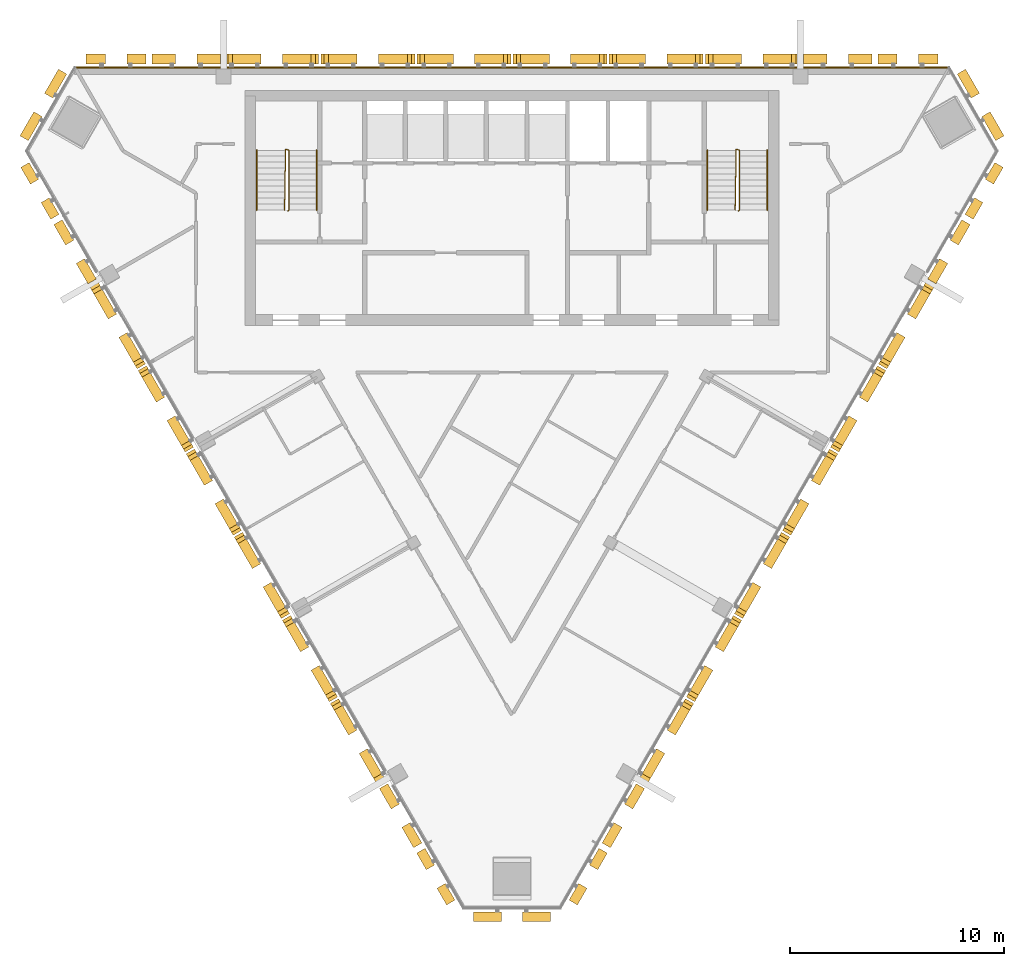
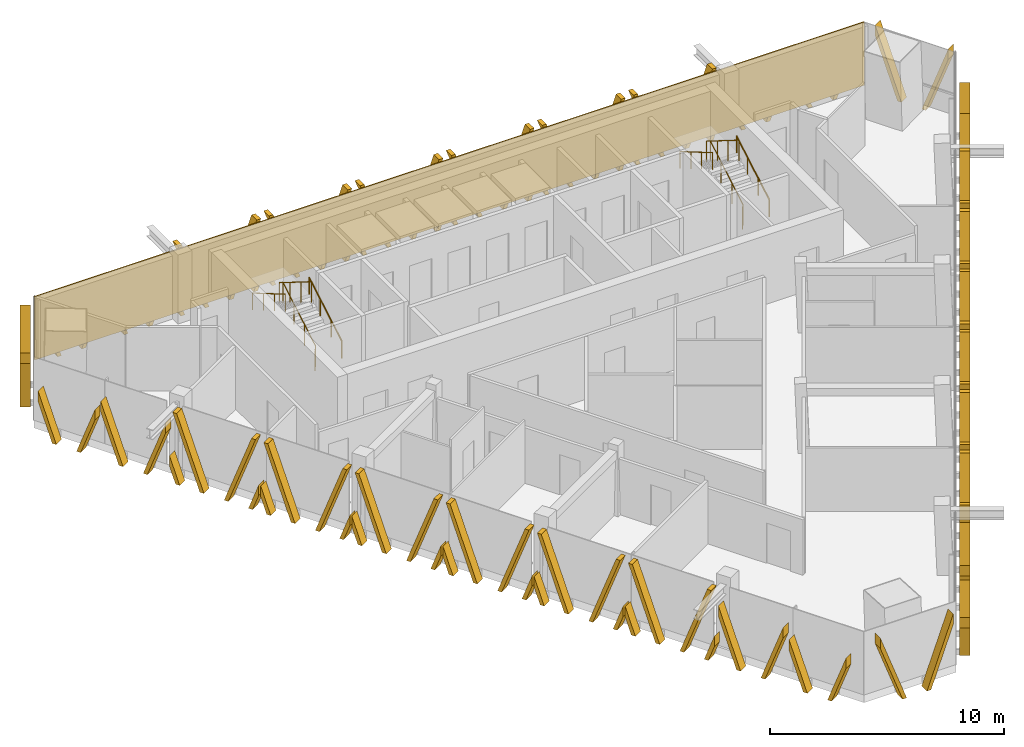
# One storey, part 11 of 12: 33 shading devices, 6 railings, 1 covering.
"""IFC4 building model written with IfcOpenShell, lengths in metres."""

from ifc_helpers import new_model, si_unit, direction, frame, frame_2d, origin, origin_2d, place, context, subcontext, project, spatial, polyline, rectangle, circle, outline, extrude, source, transform, mapped, material, layer, layer_set, type_object, element, save


model = new_model("IFC4")

# Units and contexts
model_context = context("Model", 3, precision=1e-05, world=origin(), true_north=direction((0.0, 1.0)))
body_context = subcontext(model_context, "Body", "Model", "MODEL_VIEW")
ifc_project = project(units=[si_unit("LENGTHUNIT", "METRE"), si_unit("AREAUNIT", "SQUARE_METRE"), si_unit("VOLUMEUNIT", "CUBIC_METRE"), si_unit("PLANEANGLEUNIT", "RADIAN"), si_unit("MASSUNIT", "GRAM", prefix="KILO")], contexts=[model_context])

# Site, building, storey
site_placement = place(None, origin())
site = spatial("IfcSite", under=ifc_project, at=site_placement, CompositionType="ELEMENT")
building_placement = place(site_placement, origin())
building = spatial("IfcBuilding", under=site, at=building_placement, Name="Altiplano Prism Tower", CompositionType="ELEMENT")
storey_placement = place(building_placement, frame((0.0, 0.0, 282.39990234375)))
storey = spatial("IfcBuildingStorey", under=building, at=storey_placement, Name="L73", CompositionType="ELEMENT", Elevation=282.39990234375)

# Railings
ifc_material_1 = material(Name="Steel S355", Category="steel")
railing_type_1 = type_object("IfcRailingType", Name="Stair guard 1100", PredefinedType="GUARDRAIL", material=ifc_material_1)
railing_1_placement = place(storey_placement, frame((74.5, 98.25, 0.0)))
element("IfcRailing", 1, at=railing_1_placement, inside=storey, type_object=railing_type_1, Name="L73 ST1 stair guard 1", PredefinedType="GUARDRAIL", context=body_context, shape_type="SweptSolid", body=[
    extrude(circle(Radius=0.02392578125, at=origin_2d()), frame((0.0, 0.0, 1.076171875), z_axis=(0.280456126637, 0.280456126637, 0.917980785237), x_axis=(-0.707106781187, 0.707106781187, 0.0)), (0.0, 0.0, 1.0), 0.178466796875),
    extrude(circle(Radius=0.02392578125, at=origin_2d()), frame((0.050048828125, 0.050048828125, 1.23974609375), z_axis=(0.0, 0.863393664356, 0.504530851732), x_axis=(-1.0, 0.0, 0.0)), (0.0, 0.0, 1.0), 3.2431640625),
    extrude(circle(Radius=0.02392578125, at=origin_2d()), frame((0.050048828125, 2.85009765625, 2.8759765625), z_axis=(-0.949145278916, 0.314838433982, 0.0), x_axis=(-0.314838433982, -0.949145278916, 0.0)), (0.0, 0.0, 1.0), 0.158203125),
    extrude(circle(Radius=0.02392578125, at=origin_2d()), frame((-0.10009765625, 2.89990234375, 2.8759765625), z_axis=(-0.01477401265, -0.845377694409, 0.533964682676), x_axis=(0.999847325713, -0.01747355902, 0.0)), (0.0, 0.0, 1.0), 3.37109375),
    extrude(circle(Radius=0.02099609375, at=origin_2d()), origin(), (0.0, 0.0, 1.0), 1.052001953125),
    extrude(circle(Radius=0.02099609375, at=origin_2d()), frame((0.050048828125, 0.050048828125, 0.163818359375)), (0.0, 0.0, 1.0), 1.052001953125),
    extrude(circle(Radius=0.02099609375, at=origin_2d()), frame((0.050048828125, 0.9833984375, 0.709228515625)), (0.0, 0.0, 1.0), 1.052001953125),
    extrude(circle(Radius=0.02099609375, at=origin_2d()), frame((0.050048828125, 1.916748046875, 1.254638671875)), (0.0, 0.0, 1.0), 1.052001953125),
    extrude(circle(Radius=0.02099609375, at=origin_2d()), frame((0.050048828125, 2.85009765625, 1.800048828125)), (0.0, 0.0, 1.0), 1.052001953125),
    extrude(circle(Radius=0.02099609375, at=origin_2d()), frame((-0.10009765625, 2.89990234375, 1.800048828125)), (0.0, 0.0, 1.0), 1.052001953125),
    extrude(circle(Radius=0.02099609375, at=origin_2d()), frame((-0.11669921875, 1.949951171875, 2.400146484375)), (0.0, 0.0, 1.0), 1.052001953125),
    extrude(circle(Radius=0.02099609375, at=origin_2d()), frame((-0.13330078125, 1.0, 3.0)), (0.0, 0.0, 1.0), 1.052001953125),
    extrude(circle(Radius=0.02099609375, at=origin_2d()), frame((-0.14990234375, 0.050048828125, 3.60009765625)), (0.0, 0.0, 1.0), 1.052001953125),
])
railing_2_placement = place(storey_placement, frame((95.60009765625, 98.25, 0.0)))
element("IfcRailing", 2, at=railing_2_placement, inside=storey, type_object=railing_type_1, Name="L73 ST2 stair guard 1", PredefinedType="GUARDRAIL", context=body_context, shape_type="SweptSolid", body=[
    extrude(circle(Radius=0.02392578125, at=origin_2d()), frame((0.0, 0.0, 1.076171875), z_axis=(0.279194930351, 0.280563532951, 0.91833234444), x_axis=(-0.708833529934, 0.705375805398, 0.0)), (0.0, 0.0, 1.0), 0.178466796875),
    extrude(circle(Radius=0.02392578125, at=origin_2d()), frame((0.0498046875, 0.050048828125, 1.23974609375), z_axis=(0.0, 0.863393664356, 0.504530851732), x_axis=(-1.0, 0.0, 0.0)), (0.0, 0.0, 1.0), 3.2431640625),
    extrude(circle(Radius=0.02392578125, at=origin_2d()), frame((0.0498046875, 2.85009765625, 2.8759765625), z_axis=(-0.948991962702, 0.315300261223, 0.0), x_axis=(-0.315300261223, -0.948991962702, 0.0)), (0.0, 0.0, 1.0), 0.157958984375),
    extrude(circle(Radius=0.02392578125, at=origin_2d()), frame((-0.10009765625, 2.89990234375, 2.8759765625), z_axis=(-0.014846418356, -0.845376787675, 0.533964109957), x_axis=(0.999845825584, -0.017559187376, 0.0)), (0.0, 0.0, 1.0), 3.37109375),
    extrude(circle(Radius=0.02099609375, at=origin_2d()), origin(), (0.0, 0.0, 1.0), 1.052001953125),
    extrude(circle(Radius=0.02099609375, at=origin_2d()), frame((0.0498046875, 0.050048828125, 0.163818359375)), (0.0, 0.0, 1.0), 1.052001953125),
    extrude(circle(Radius=0.02099609375, at=origin_2d()), frame((0.0498046875, 0.9833984375, 0.709228515625)), (0.0, 0.0, 1.0), 1.052001953125),
    extrude(circle(Radius=0.02099609375, at=origin_2d()), frame((0.0498046875, 1.916748046875, 1.254638671875)), (0.0, 0.0, 1.0), 1.052001953125),
    extrude(circle(Radius=0.02099609375, at=origin_2d()), frame((0.0498046875, 2.85009765625, 1.800048828125)), (0.0, 0.0, 1.0), 1.052001953125),
    extrude(circle(Radius=0.02099609375, at=origin_2d()), frame((-0.10009765625, 2.89990234375, 1.800048828125)), (0.0, 0.0, 1.0), 1.052001953125),
    extrude(circle(Radius=0.02099609375, at=origin_2d()), frame((-0.11669921875, 1.949951171875, 2.400146484375)), (0.0, 0.0, 1.0), 1.052001953125),
    extrude(circle(Radius=0.02099609375, at=origin_2d()), frame((-0.133544921875, 1.0, 3.0)), (0.0, 0.0, 1.0), 1.052001953125),
    extrude(circle(Radius=0.02099609375, at=origin_2d()), frame((-0.150146484375, 0.050048828125, 3.60009765625)), (0.0, 0.0, 1.0), 1.052001953125),
])
railing_type_2 = type_object("IfcRailingType", Name="Stair handrail 900", PredefinedType="HANDRAIL", material=ifc_material_1)
railing_3_placement = place(storey_placement, frame((75.85009765625, 98.300048828125, 0.163818359375)))
element("IfcRailing", 3, at=railing_3_placement, inside=storey, type_object=railing_type_2, Name="L73 ST1 stair handrail 1", PredefinedType="HANDRAIL", context=body_context, shape_type="SweptSolid", body=[
    extrude(circle(Radius=0.02392578125, at=origin_2d()), frame((0.0, 0.0, 0.8759765625), z_axis=(0.0, 0.863393664356, 0.504530851732), x_axis=(-1.0, 0.0, 0.0)), (0.0, 0.0, 1.0), 3.2431640625),
    extrude(circle(Radius=0.02099609375, at=origin_2d()), origin(), (0.0, 0.0, 1.0), 0.851806640625),
    extrude(circle(Radius=0.02099609375, at=origin_2d()), frame((0.0, 0.933349609375, 0.54541015625)), (0.0, 0.0, 1.0), 0.851806640625),
    extrude(circle(Radius=0.02099609375, at=origin_2d()), frame((0.0, 1.86669921875, 1.0908203125)), (0.0, 0.0, 1.0), 0.851806640625),
    extrude(circle(Radius=0.02099609375, at=origin_2d()), frame((0.0, 2.800048828125, 1.63623046875)), (0.0, 0.0, 1.0), 0.851806640625),
])
railing_4_placement = place(storey_placement, frame((73.050048828125, 101.10009765625, 1.963623046875)))
element("IfcRailing", 4, at=railing_4_placement, inside=storey, type_object=railing_type_2, Name="L73 ST1 stair handrail 2", PredefinedType="HANDRAIL", context=body_context, shape_type="SweptSolid", body=[
    extrude(circle(Radius=0.02392578125, at=origin_2d()), frame((0.0, 0.0, 0.8759765625), z_axis=(0.0, -0.863360870873, 0.504586966384), x_axis=(1.0, 0.0, 0.0)), (0.0, 0.0, 1.0), 3.2431640625),
    extrude(circle(Radius=0.02099609375, at=origin_2d()), origin(), (0.0, 0.0, 1.0), 0.851806640625),
    extrude(circle(Radius=0.02099609375, at=origin_2d()), frame((0.0, -0.933349609375, 0.54541015625)), (0.0, 0.0, 1.0), 0.851806640625),
    extrude(circle(Radius=0.02099609375, at=origin_2d()), frame((0.0, -1.86669921875, 1.091064453125)), (0.0, 0.0, 1.0), 0.851806640625),
    extrude(circle(Radius=0.02099609375, at=origin_2d()), frame((0.0, -2.800048828125, 1.636474609375)), (0.0, 0.0, 1.0), 0.851806640625),
])
railing_5_placement = place(storey_placement, frame((96.949951171875, 98.300048828125, 0.163818359375)))
element("IfcRailing", 5, at=railing_5_placement, inside=storey, type_object=railing_type_2, Name="L73 ST2 stair handrail 1", PredefinedType="HANDRAIL", context=body_context, shape_type="SweptSolid", body=[
    extrude(circle(Radius=0.02392578125, at=origin_2d()), frame((0.0, 0.0, 0.8759765625), z_axis=(0.0, 0.863393664356, 0.504530851732), x_axis=(-1.0, 0.0, 0.0)), (0.0, 0.0, 1.0), 3.2431640625),
    extrude(circle(Radius=0.02099609375, at=origin_2d()), origin(), (0.0, 0.0, 1.0), 0.851806640625),
    extrude(circle(Radius=0.02099609375, at=origin_2d()), frame((0.0, 0.933349609375, 0.54541015625)), (0.0, 0.0, 1.0), 0.851806640625),
    extrude(circle(Radius=0.02099609375, at=origin_2d()), frame((0.0, 1.86669921875, 1.0908203125)), (0.0, 0.0, 1.0), 0.851806640625),
    extrude(circle(Radius=0.02099609375, at=origin_2d()), frame((0.0, 2.800048828125, 1.63623046875)), (0.0, 0.0, 1.0), 0.851806640625),
])
railing_6_placement = place(storey_placement, frame((94.14990234375, 101.10009765625, 1.963623046875)))
element("IfcRailing", 6, at=railing_6_placement, inside=storey, type_object=railing_type_2, Name="L73 ST2 stair handrail 2", PredefinedType="HANDRAIL", context=body_context, shape_type="SweptSolid", body=[
    extrude(circle(Radius=0.02392578125, at=origin_2d()), frame((0.0, 0.0, 0.8759765625), z_axis=(0.0, -0.863360870873, 0.504586966384), x_axis=(1.0, 0.0, 0.0)), (0.0, 0.0, 1.0), 3.2431640625),
    extrude(circle(Radius=0.02099609375, at=origin_2d()), origin(), (0.0, 0.0, 1.0), 0.851806640625),
    extrude(circle(Radius=0.02099609375, at=origin_2d()), frame((0.0, -0.933349609375, 0.54541015625)), (0.0, 0.0, 1.0), 0.851806640625),
    extrude(circle(Radius=0.02099609375, at=origin_2d()), frame((0.0, -1.86669921875, 1.091064453125)), (0.0, 0.0, 1.0), 0.851806640625),
    extrude(circle(Radius=0.02099609375, at=origin_2d()), frame((0.0, -2.800048828125, 1.636474609375)), (0.0, 0.0, 1.0), 0.851806640625),
])

# Covering
ifc_material_2 = material(Name="Warm limestone cast stone", Category="masonry")
ifc_layer = layer(ifc_material_2, 0.06005859375)
ifc_layer_set = layer_set([ifc_layer], Name="Warm limestone cast stone")
covering_type = type_object("IfcCoveringType", Name="Stone cladding 60", PredefinedType="CLADDING", material=ifc_layer_set)
covering_placement = place(storey_placement, frame((64.515869140625, 104.969970703125, 0.0), z_axis=(0.0, 0.0, 1.0), x_axis=(1.0, 0.0, 0.0)))
element("IfcCovering", 7, at=covering_placement, inside=storey, type_object=covering_type, Name="Stone cladding north face L73", PredefinedType="CLADDING", context=body_context, shape_type="SweptSolid", body=[
    extrude(rectangle(XDim=40.96826171875, YDim=0.06005859375, at=frame_2d((20.484130859375, 0.0))), origin(), (0.0, 0.0, 1.0), 3.300048828125),
])

# Shading devices
shading_device_type_1 = type_object("IfcShadingDeviceType", Name="Stone fin panel, narrow closing bay", PredefinedType="USERDEFINED", material=ifc_material_2)
shared_shape_1 = source(origin(), body_context, "Body", "SweptSolid", [
    extrude(outline(polyline([(-1.39990234375, 2.47265625), (-1.39990234375, 1.923095703125), (-0.699951171875, 0.0), (-0.5, 0.0), (-1.39990234375, 2.47265625)])), frame((0.0, -0.14990234375, 0.0), z_axis=(0.0, -1.0, 0.0), x_axis=(1.0, 0.0, 0.0)), (0.0, 0.0, 1.0), 0.4501953125),
    extrude(outline(polyline([(1.39990234375, 1.923095703125), (1.39990234375, 2.47265625), (0.5, 0.0), (0.699951171875, 0.0), (1.39990234375, 1.923095703125)])), frame((0.0, -0.14990234375, 0.0), z_axis=(0.0, -1.0, 0.0), x_axis=(1.0, 0.0, 0.0)), (0.0, 0.0, 1.0), 0.4501953125),
])
shading_device_1_placement = place(storey_placement, origin())
element("IfcShadingDevice", 8, at=shading_device_1_placement, inside=storey, type_object=shading_device_type_1, Name="Fin L73 north face 1", ObjectType="FIN", PredefinedType="USERDEFINED", context=body_context, shape_type="MappedRepresentation", body=[
    mapped(shared_shape_1, transform((103.5380859375, 105.0, -0.39990234375), x_axis=(-1.0, 0.0, 0.0), y_axis=(0.0, -1.0, 0.0), z_axis=(0.0, 0.0, 1.0))),
])
shading_device_2_placement = place(storey_placement, origin())
element("IfcShadingDevice", 9, at=shading_device_2_placement, inside=storey, type_object=shading_device_type_1, Name="Fin L73 north face 10", ObjectType="FIN", PredefinedType="USERDEFINED", context=body_context, shape_type="MappedRepresentation", body=[
    mapped(shared_shape_1, transform((66.4619140625, 105.0, -0.39990234375), x_axis=(-1.0, 0.0, 0.0), y_axis=(0.0, -1.0, 0.0), z_axis=(0.0, 0.0, 1.0))),
])
shading_device_3_placement = place(storey_placement, origin())
element("IfcShadingDevice", 10, at=shading_device_3_placement, inside=storey, type_object=shading_device_type_1, Name="Fin L73 south-west face 1", ObjectType="FIN", PredefinedType="USERDEFINED", context=body_context, shape_type="MappedRepresentation", body=[
    mapped(shared_shape_1, transform((63.21923828125, 99.383544921875, -0.39990234375), x_axis=(0.499999992925, -0.866025407869, 0.0), y_axis=(0.866025407869, 0.499999992925, 0.0), z_axis=(0.0, 0.0, 1.0))),
])
shading_device_4_placement = place(storey_placement, origin())
element("IfcShadingDevice", 11, at=shading_device_4_placement, inside=storey, type_object=shading_device_type_1, Name="Fin L73 south-west face 10", ObjectType="FIN", PredefinedType="USERDEFINED", context=body_context, shape_type="MappedRepresentation", body=[
    mapped(shared_shape_1, transform((81.75732421875, 67.274658203125, -0.39990234375), x_axis=(0.499999992925, -0.866025407869, 0.0), y_axis=(0.866025407869, 0.499999992925, 0.0), z_axis=(0.0, 0.0, 1.0))),
])
shading_device_5_placement = place(storey_placement, origin())
element("IfcShadingDevice", 12, at=shading_device_5_placement, inside=storey, type_object=shading_device_type_1, Name="Fin L73 south-east face 1", ObjectType="FIN", PredefinedType="USERDEFINED", context=body_context, shape_type="MappedRepresentation", body=[
    mapped(shared_shape_1, transform((88.24267578125, 67.274658203125, -0.39990234375), x_axis=(0.499999992925, 0.866025407869, 0.0), y_axis=(-0.866025407869, 0.499999992925, 0.0), z_axis=(0.0, 0.0, 1.0))),
])
shading_device_6_placement = place(storey_placement, origin())
element("IfcShadingDevice", 13, at=shading_device_6_placement, inside=storey, type_object=shading_device_type_1, Name="Fin L73 south-east face 10", ObjectType="FIN", PredefinedType="USERDEFINED", context=body_context, shape_type="MappedRepresentation", body=[
    mapped(shared_shape_1, transform((106.78076171875, 99.383544921875, -0.39990234375), x_axis=(0.499999992925, 0.866025407869, 0.0), y_axis=(-0.866025407869, 0.499999992925, 0.0), z_axis=(0.0, 0.0, 1.0))),
])
shared_shape_2 = source(origin(), body_context, "Body", "SweptSolid", [
    extrude(outline(polyline([(-1.60009765625, 3.022216796875), (-1.60009765625, 2.47265625), (-0.699951171875, 0.0), (-0.5, 0.0), (-1.60009765625, 3.022216796875)])), frame((0.0, -0.14990234375, 0.0), z_axis=(0.0, -1.0, 0.0), x_axis=(1.0, 0.0, 0.0)), (0.0, 0.0, 1.0), 0.4501953125),
    extrude(outline(polyline([(1.60009765625, 2.47265625), (1.60009765625, 3.022216796875), (0.5, 0.0), (0.699951171875, 0.0), (1.60009765625, 2.47265625)])), frame((0.0, -0.14990234375, 0.0), z_axis=(0.0, -1.0, 0.0), x_axis=(1.0, 0.0, 0.0)), (0.0, 0.0, 1.0), 0.4501953125),
])
shading_device_7_placement = place(storey_placement, origin())
element("IfcShadingDevice", 14, at=shading_device_7_placement, inside=storey, type_object=shading_device_type_1, Name="Fin L73 north face 2", ObjectType="FIN", PredefinedType="USERDEFINED", context=body_context, shape_type="MappedRepresentation", body=[
    mapped(shared_shape_2, transform((100.24609375, 105.0, -0.39990234375), x_axis=(-1.0, 0.0, 0.0), y_axis=(0.0, -1.0, 0.0), z_axis=(0.0, 0.0, 1.0))),
])
shading_device_8_placement = place(storey_placement, origin())
element("IfcShadingDevice", 15, at=shading_device_8_placement, inside=storey, type_object=shading_device_type_1, Name="Fin L73 north face 9", ObjectType="FIN", PredefinedType="USERDEFINED", context=body_context, shape_type="MappedRepresentation", body=[
    mapped(shared_shape_2, transform((69.75390625, 105.0, -0.39990234375), x_axis=(-1.0, 0.0, 0.0), y_axis=(0.0, -1.0, 0.0), z_axis=(0.0, 0.0, 1.0))),
])
shading_device_9_placement = place(storey_placement, origin())
element("IfcShadingDevice", 16, at=shading_device_9_placement, inside=storey, type_object=shading_device_type_1, Name="Fin L73 south-west face 2", ObjectType="FIN", PredefinedType="USERDEFINED", context=body_context, shape_type="MappedRepresentation", body=[
    mapped(shared_shape_2, transform((64.865234375, 96.532470703125, -0.39990234375), x_axis=(0.499999992925, -0.866025407869, 0.0), y_axis=(0.866025407869, 0.499999992925, 0.0), z_axis=(0.0, 0.0, 1.0))),
])
shading_device_10_placement = place(storey_placement, origin())
element("IfcShadingDevice", 17, at=shading_device_10_placement, inside=storey, type_object=shading_device_type_1, Name="Fin L73 south-west face 9", ObjectType="FIN", PredefinedType="USERDEFINED", context=body_context, shape_type="MappedRepresentation", body=[
    mapped(shared_shape_2, transform((80.111328125, 70.125732421875, -0.39990234375), x_axis=(0.499999992925, -0.866025407869, 0.0), y_axis=(0.866025407869, 0.499999992925, 0.0), z_axis=(0.0, 0.0, 1.0))),
])
shading_device_11_placement = place(storey_placement, origin())
element("IfcShadingDevice", 18, at=shading_device_11_placement, inside=storey, type_object=shading_device_type_1, Name="Fin L73 south-east face 2", ObjectType="FIN", PredefinedType="USERDEFINED", context=body_context, shape_type="MappedRepresentation", body=[
    mapped(shared_shape_2, transform((89.888671875, 70.125732421875, -0.39990234375), x_axis=(0.499999992925, 0.866025407869, 0.0), y_axis=(-0.866025407869, 0.499999992925, 0.0), z_axis=(0.0, 0.0, 1.0))),
])
shading_device_12_placement = place(storey_placement, origin())
element("IfcShadingDevice", 19, at=shading_device_12_placement, inside=storey, type_object=shading_device_type_1, Name="Fin L73 south-east face 9", ObjectType="FIN", PredefinedType="USERDEFINED", context=body_context, shape_type="MappedRepresentation", body=[
    mapped(shared_shape_2, transform((105.134765625, 96.532470703125, -0.39990234375), x_axis=(0.499999992925, 0.866025407869, 0.0), y_axis=(-0.866025407869, 0.499999992925, 0.0), z_axis=(0.0, 0.0, 1.0))),
])
shading_device_type_2 = type_object("IfcShadingDeviceType", Name="Stone fin panel, standard unit", PredefinedType="USERDEFINED", material=ifc_material_2)
shared_shape_3 = source(origin(), body_context, "Body", "SweptSolid", [
    extrude(outline(polyline([(-2.199951171875, 1.373779296875), (-2.199951171875, 0.82421875), (-1.89990234375, 0.0), (-1.699951171875, 0.0), (-2.199951171875, 1.373779296875)])), frame((0.0, -0.14990234375, 0.0), z_axis=(0.0, -1.0, 0.0), x_axis=(1.0, 0.0, 0.0)), (0.0, 0.0, 1.0), 0.4501953125),
    extrude(outline(polyline([(-2.046630859375, 3.699951171875), (-0.699951171875, 0.0), (-0.5, 0.0), (-1.8466796875, 3.699951171875), (-2.046630859375, 3.699951171875)])), frame((0.0, -0.14990234375, 0.0), z_axis=(0.0, -1.0, 0.0), x_axis=(1.0, 0.0, 0.0)), (0.0, 0.0, 1.0), 0.4501953125),
    extrude(outline(polyline([(1.8466796875, 3.699951171875), (0.5, 0.0), (0.699951171875, 0.0), (2.046630859375, 3.699951171875), (1.8466796875, 3.699951171875)])), frame((0.0, -0.14990234375, 0.0), z_axis=(0.0, -1.0, 0.0), x_axis=(1.0, 0.0, 0.0)), (0.0, 0.0, 1.0), 0.4501953125),
    extrude(outline(polyline([(2.199951171875, 0.82421875), (2.199951171875, 1.373779296875), (1.699951171875, 0.0), (1.89990234375, 0.0), (2.199951171875, 0.82421875)])), frame((0.0, -0.14990234375, 0.0), z_axis=(0.0, -1.0, 0.0), x_axis=(1.0, 0.0, 0.0)), (0.0, 0.0, 1.0), 0.4501953125),
])
shading_device_13_placement = place(storey_placement, origin())
element("IfcShadingDevice", 20, at=shading_device_13_placement, inside=storey, type_object=shading_device_type_2, Name="Fin L73 north face 3", ObjectType="FIN", PredefinedType="USERDEFINED", context=body_context, shape_type="MappedRepresentation", body=[
    mapped(shared_shape_3, transform((96.25, 105.0, -0.39990234375), x_axis=(-1.0, 0.0, 0.0), y_axis=(0.0, -1.0, 0.0), z_axis=(0.0, 0.0, 1.0))),
])
shading_device_14_placement = place(storey_placement, origin())
element("IfcShadingDevice", 21, at=shading_device_14_placement, inside=storey, type_object=shading_device_type_2, Name="Fin L73 north face 4", ObjectType="FIN", PredefinedType="USERDEFINED", context=body_context, shape_type="MappedRepresentation", body=[
    mapped(shared_shape_3, transform((91.75, 105.0, -0.39990234375), x_axis=(-1.0, 0.0, 0.0), y_axis=(0.0, -1.0, 0.0), z_axis=(0.0, 0.0, 1.0))),
])
shading_device_15_placement = place(storey_placement, origin())
element("IfcShadingDevice", 22, at=shading_device_15_placement, inside=storey, type_object=shading_device_type_2, Name="Fin L73 north face 5", ObjectType="FIN", PredefinedType="USERDEFINED", context=body_context, shape_type="MappedRepresentation", body=[
    mapped(shared_shape_3, transform((87.25, 105.0, -0.39990234375), x_axis=(-1.0, 0.0, 0.0), y_axis=(0.0, -1.0, 0.0), z_axis=(0.0, 0.0, 1.0))),
])
shading_device_16_placement = place(storey_placement, origin())
element("IfcShadingDevice", 23, at=shading_device_16_placement, inside=storey, type_object=shading_device_type_2, Name="Fin L73 north face 6", ObjectType="FIN", PredefinedType="USERDEFINED", context=body_context, shape_type="MappedRepresentation", body=[
    mapped(shared_shape_3, transform((82.75, 105.0, -0.39990234375), x_axis=(-1.0, 0.0, 0.0), y_axis=(0.0, -1.0, 0.0), z_axis=(0.0, 0.0, 1.0))),
])
shading_device_17_placement = place(storey_placement, origin())
element("IfcShadingDevice", 24, at=shading_device_17_placement, inside=storey, type_object=shading_device_type_2, Name="Fin L73 north face 7", ObjectType="FIN", PredefinedType="USERDEFINED", context=body_context, shape_type="MappedRepresentation", body=[
    mapped(shared_shape_3, transform((78.25, 105.0, -0.39990234375), x_axis=(-1.0, 0.0, 0.0), y_axis=(0.0, -1.0, 0.0), z_axis=(0.0, 0.0, 1.0))),
])
shading_device_18_placement = place(storey_placement, origin())
element("IfcShadingDevice", 25, at=shading_device_18_placement, inside=storey, type_object=shading_device_type_2, Name="Fin L73 north face 8", ObjectType="FIN", PredefinedType="USERDEFINED", context=body_context, shape_type="MappedRepresentation", body=[
    mapped(shared_shape_3, transform((73.75, 105.0, -0.39990234375), x_axis=(-1.0, 0.0, 0.0), y_axis=(0.0, -1.0, 0.0), z_axis=(0.0, 0.0, 1.0))),
])
shading_device_19_placement = place(storey_placement, origin())
element("IfcShadingDevice", 26, at=shading_device_19_placement, inside=storey, type_object=shading_device_type_2, Name="Fin L73 south-west face 3", ObjectType="FIN", PredefinedType="USERDEFINED", context=body_context, shape_type="MappedRepresentation", body=[
    mapped(shared_shape_3, transform((66.86328125, 93.07177734375, -0.39990234375), x_axis=(0.499999992925, -0.866025407869, 0.0), y_axis=(0.866025407869, 0.499999992925, 0.0), z_axis=(0.0, 0.0, 1.0))),
])
shading_device_20_placement = place(storey_placement, origin())
element("IfcShadingDevice", 27, at=shading_device_20_placement, inside=storey, type_object=shading_device_type_2, Name="Fin L73 south-west face 4", ObjectType="FIN", PredefinedType="USERDEFINED", context=body_context, shape_type="MappedRepresentation", body=[
    mapped(shared_shape_3, transform((69.11328125, 89.1748046875, -0.39990234375), x_axis=(0.499999992925, -0.866025407869, 0.0), y_axis=(0.866025407869, 0.499999992925, 0.0), z_axis=(0.0, 0.0, 1.0))),
])
shading_device_21_placement = place(storey_placement, origin())
element("IfcShadingDevice", 28, at=shading_device_21_placement, inside=storey, type_object=shading_device_type_2, Name="Fin L73 south-west face 5", ObjectType="FIN", PredefinedType="USERDEFINED", context=body_context, shape_type="MappedRepresentation", body=[
    mapped(shared_shape_3, transform((71.36328125, 85.277587890625, -0.39990234375), x_axis=(0.499999992925, -0.866025407869, 0.0), y_axis=(0.866025407869, 0.499999992925, 0.0), z_axis=(0.0, 0.0, 1.0))),
])
shading_device_22_placement = place(storey_placement, origin())
element("IfcShadingDevice", 29, at=shading_device_22_placement, inside=storey, type_object=shading_device_type_2, Name="Fin L73 south-west face 6", ObjectType="FIN", PredefinedType="USERDEFINED", context=body_context, shape_type="MappedRepresentation", body=[
    mapped(shared_shape_3, transform((73.61328125, 81.380615234375, -0.39990234375), x_axis=(0.499999992925, -0.866025407869, 0.0), y_axis=(0.866025407869, 0.499999992925, 0.0), z_axis=(0.0, 0.0, 1.0))),
])
shading_device_23_placement = place(storey_placement, origin())
element("IfcShadingDevice", 30, at=shading_device_23_placement, inside=storey, type_object=shading_device_type_2, Name="Fin L73 south-west face 7", ObjectType="FIN", PredefinedType="USERDEFINED", context=body_context, shape_type="MappedRepresentation", body=[
    mapped(shared_shape_3, transform((75.86328125, 77.4833984375, -0.39990234375), x_axis=(0.499999992925, -0.866025407869, 0.0), y_axis=(0.866025407869, 0.499999992925, 0.0), z_axis=(0.0, 0.0, 1.0))),
])
shading_device_24_placement = place(storey_placement, origin())
element("IfcShadingDevice", 31, at=shading_device_24_placement, inside=storey, type_object=shading_device_type_2, Name="Fin L73 south-west face 8", ObjectType="FIN", PredefinedType="USERDEFINED", context=body_context, shape_type="MappedRepresentation", body=[
    mapped(shared_shape_3, transform((78.11328125, 73.586181640625, -0.39990234375), x_axis=(0.499999992925, -0.866025407869, 0.0), y_axis=(0.866025407869, 0.499999992925, 0.0), z_axis=(0.0, 0.0, 1.0))),
])
shading_device_25_placement = place(storey_placement, origin())
element("IfcShadingDevice", 32, at=shading_device_25_placement, inside=storey, type_object=shading_device_type_2, Name="Fin L73 south-east face 3", ObjectType="FIN", PredefinedType="USERDEFINED", context=body_context, shape_type="MappedRepresentation", body=[
    mapped(shared_shape_3, transform((91.88671875, 73.586181640625, -0.39990234375), x_axis=(0.499999992925, 0.866025407869, 0.0), y_axis=(-0.866025407869, 0.499999992925, 0.0), z_axis=(0.0, 0.0, 1.0))),
])
shading_device_26_placement = place(storey_placement, origin())
element("IfcShadingDevice", 33, at=shading_device_26_placement, inside=storey, type_object=shading_device_type_2, Name="Fin L73 south-east face 4", ObjectType="FIN", PredefinedType="USERDEFINED", context=body_context, shape_type="MappedRepresentation", body=[
    mapped(shared_shape_3, transform((94.13671875, 77.4833984375, -0.39990234375), x_axis=(0.499999992925, 0.866025407869, 0.0), y_axis=(-0.866025407869, 0.499999992925, 0.0), z_axis=(0.0, 0.0, 1.0))),
])
shading_device_27_placement = place(storey_placement, origin())
element("IfcShadingDevice", 34, at=shading_device_27_placement, inside=storey, type_object=shading_device_type_2, Name="Fin L73 south-east face 5", ObjectType="FIN", PredefinedType="USERDEFINED", context=body_context, shape_type="MappedRepresentation", body=[
    mapped(shared_shape_3, transform((96.38671875, 81.380615234375, -0.39990234375), x_axis=(0.499999992925, 0.866025407869, 0.0), y_axis=(-0.866025407869, 0.499999992925, 0.0), z_axis=(0.0, 0.0, 1.0))),
])
shading_device_28_placement = place(storey_placement, origin())
element("IfcShadingDevice", 35, at=shading_device_28_placement, inside=storey, type_object=shading_device_type_2, Name="Fin L73 south-east face 6", ObjectType="FIN", PredefinedType="USERDEFINED", context=body_context, shape_type="MappedRepresentation", body=[
    mapped(shared_shape_3, transform((98.63671875, 85.277587890625, -0.39990234375), x_axis=(0.499999992925, 0.866025407869, 0.0), y_axis=(-0.866025407869, 0.499999992925, 0.0), z_axis=(0.0, 0.0, 1.0))),
])
shading_device_29_placement = place(storey_placement, origin())
element("IfcShadingDevice", 36, at=shading_device_29_placement, inside=storey, type_object=shading_device_type_2, Name="Fin L73 south-east face 7", ObjectType="FIN", PredefinedType="USERDEFINED", context=body_context, shape_type="MappedRepresentation", body=[
    mapped(shared_shape_3, transform((100.88671875, 89.1748046875, -0.39990234375), x_axis=(0.499999992925, 0.866025407869, 0.0), y_axis=(-0.866025407869, 0.499999992925, 0.0), z_axis=(0.0, 0.0, 1.0))),
])
shading_device_30_placement = place(storey_placement, origin())
element("IfcShadingDevice", 37, at=shading_device_30_placement, inside=storey, type_object=shading_device_type_2, Name="Fin L73 south-east face 8", ObjectType="FIN", PredefinedType="USERDEFINED", context=body_context, shape_type="MappedRepresentation", body=[
    mapped(shared_shape_3, transform((103.13671875, 93.07177734375, -0.39990234375), x_axis=(0.499999992925, 0.866025407869, 0.0), y_axis=(-0.866025407869, 0.499999992925, 0.0), z_axis=(0.0, 0.0, 1.0))),
])
shading_device_type_3 = type_object("IfcShadingDeviceType", Name="Stone fin panel, chamfer unit", PredefinedType="USERDEFINED", material=ifc_material_2)
shared_shape_4 = source(origin(), body_context, "Body", "SweptSolid", [
    extrude(outline(polyline([(-1.800048828125, 3.57177734375), (-1.800048828125, 3.022216796875), (-0.699951171875, 0.0), (-0.5, 0.0), (-1.800048828125, 3.57177734375)])), frame((0.0, -0.14990234375, 0.0), z_axis=(0.0, -1.0, 0.0), x_axis=(1.0, 0.0, 0.0)), (0.0, 0.0, 1.0), 0.4501953125),
    extrude(outline(polyline([(1.800048828125, 3.022216796875), (1.800048828125, 3.57177734375), (0.5, 0.0), (0.699951171875, 0.0), (1.800048828125, 3.022216796875)])), frame((0.0, -0.14990234375, 0.0), z_axis=(0.0, -1.0, 0.0), x_axis=(1.0, 0.0, 0.0)), (0.0, 0.0, 1.0), 0.4501953125),
])
shading_device_31_placement = place(storey_placement, origin())
element("IfcShadingDevice", 38, at=shading_device_31_placement, inside=storey, type_object=shading_device_type_3, Name="Fin L73 north-west chamfer 1", ObjectType="FIN", PredefinedType="USERDEFINED", context=body_context, shape_type="MappedRepresentation", body=[
    mapped(shared_shape_4, transform((63.381103515625, 103.034423828125, -0.39990234375), x_axis=(-0.500000042982, -0.866025378969, 0.0), y_axis=(0.866025378969, -0.500000042982, 0.0), z_axis=(0.0, 0.0, 1.0))),
])
shading_device_32_placement = place(storey_placement, origin())
element("IfcShadingDevice", 39, at=shading_device_32_placement, inside=storey, type_object=shading_device_type_3, Name="Fin L73 south chamfer 1", ObjectType="FIN", PredefinedType="USERDEFINED", context=body_context, shape_type="MappedRepresentation", body=[
    mapped(shared_shape_4, transform((85.0, 65.58935546875, -0.39990234375), x_axis=(1.0, 0.0, 0.0), y_axis=(0.0, 1.0, 0.0), z_axis=(0.0, 0.0, 1.0))),
])
shading_device_33_placement = place(storey_placement, origin())
element("IfcShadingDevice", 40, at=shading_device_33_placement, inside=storey, type_object=shading_device_type_3, Name="Fin L73 north-east chamfer 1", ObjectType="FIN", PredefinedType="USERDEFINED", context=body_context, shape_type="MappedRepresentation", body=[
    mapped(shared_shape_4, transform((106.618896484375, 103.034423828125, -0.39990234375), x_axis=(-0.500000042982, 0.866025378969, 0.0), y_axis=(-0.866025378969, -0.500000042982, 0.0), z_axis=(0.0, 0.0, 1.0))),
])

save(model, "model.ifc")
